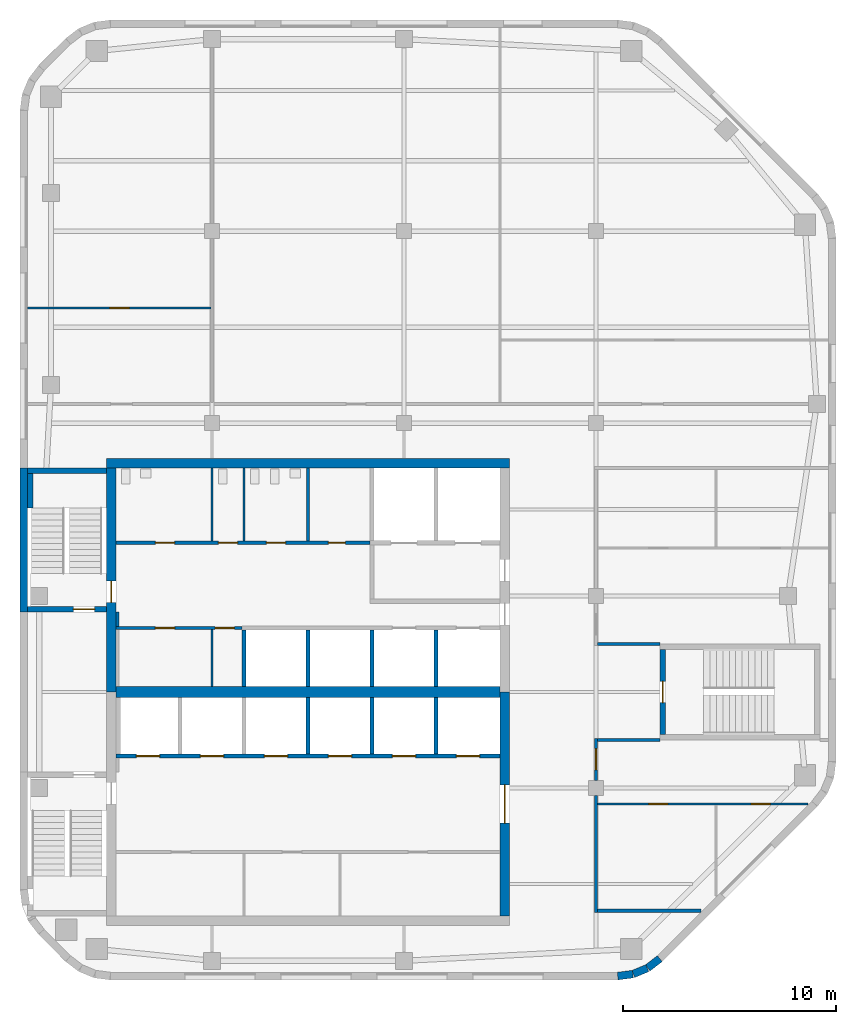
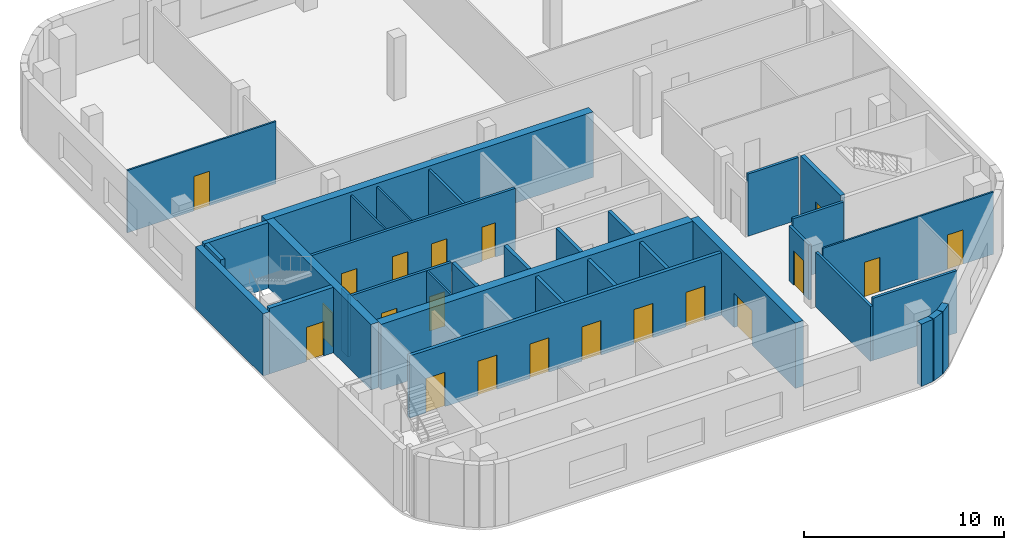
# One storey, part 3 of 7: 34 walls, 20 doors, 20 openings.
"""IFC4 building model written with IfcOpenShell, lengths in metres."""

from ifc_helpers import new_model, si_unit, direction, frame, frame_2d, origin, place, context, subcontext, project, spatial, rectangle, extrude, material, layer, layer_set, type_object, element, fill, save


model = new_model("IFC4")

# Units and contexts
model_context = context("Model", 3, precision=1e-05, world=origin(), true_north=direction((0.0, 1.0)))
body_context = subcontext(model_context, "Body", "Model", "MODEL_VIEW")
ifc_project = project(units=[si_unit("LENGTHUNIT", "METRE"), si_unit("AREAUNIT", "SQUARE_METRE"), si_unit("VOLUMEUNIT", "CUBIC_METRE"), si_unit("PLANEANGLEUNIT", "RADIAN"), si_unit("MASSUNIT", "GRAM", prefix="KILO")], contexts=[model_context])

# Site, building, storey
site_placement = place(None, origin())
site = spatial("IfcSite", under=ifc_project, at=site_placement, CompositionType="ELEMENT")
building_placement = place(site_placement, origin())
building = spatial("IfcBuilding", under=site, at=building_placement, Name="Cinnabar Reach Civic Tower", CompositionType="ELEMENT")
storey_placement = place(building_placement, frame((0.0, 0.0, 279.0)))
storey = spatial("IfcBuildingStorey", under=building, at=storey_placement, Name="L67", CompositionType="ELEMENT", Elevation=279.0)

# Walls
ifc_material_1 = material(Name="Facing brick with insulated backing", Category="masonry")
ifc_layer_1 = layer(ifc_material_1, 0.36)
ifc_layer_set_1 = layer_set([ifc_layer_1], Name="Brick corner wall")
wall_type_1 = type_object("IfcWallType", Name="Brick corner wall", PredefinedType="STANDARD", material=ifc_layer_set_1)
for number, where, z_axis, x_axis, name in (
    (1, (28.0186, 18.183, 0.0), (0.0, 0.0, 1.0), (0.99144092581, 0.13055608231, 0.0), "Brick corner wall"),
    (2, (28.7473, 18.2819, 0.0), (0.0, 0.0, 1.0), (0.923871547278, 0.382702709855, 0.0), "Brick corner wall"),
):
    element("IfcWall", number, at=place(storey_placement, frame(where, z_axis=z_axis, x_axis=x_axis)), inside=storey, type_object=wall_type_1, Name=name, PredefinedType="STANDARD", context=body_context, shape_type="SweptSolid", body=[
        extrude(rectangle(XDim=0.7131, YDim=0.36, at=frame_2d((0.3565, 0.0))), origin(), (0.0, 0.0, 1.0), 3.8),
    ])
wall_1_placement = place(storey_placement, frame((29.4255, 18.566, 0.0), z_axis=(0.0, 0.0, 1.0), x_axis=(0.793321924995, 0.608802368033, 0.0)))
element("IfcWall", 3, at=wall_1_placement, inside=storey, type_object=wall_type_1, Name="Brick corner wall", PredefinedType="STANDARD", context=body_context, shape_type="SweptSolid", body=[
    extrude(rectangle(XDim=0.7132, YDim=0.36, at=frame_2d((0.3566, 0.0))), origin(), (0.0, 0.0, 1.0), 3.8),
])
ifc_layer_2 = layer(ifc_material_1, 0.36)
ifc_layer_set_2 = layer_set([ifc_layer_2], Name="Brick pier and spandrel wall")
wall_type_2 = type_object("IfcWallType", Name="Brick pier and spandrel wall", PredefinedType="STANDARD", material=ifc_layer_set_2)
wall_2_placement = place(storey_placement, frame((0.18, 42.0, 0.0), z_axis=(0.0, 0.0, 1.0), x_axis=(0.0, -1.0, 0.0)))
element("IfcWall", 4, at=wall_2_placement, inside=storey, type_object=wall_type_2, Name="Brick facade wall", PredefinedType="STANDARD", context=body_context, shape_type="SweptSolid", body=[
    extrude(rectangle(XDim=6.75, YDim=0.36, at=frame_2d((3.375, 0.0))), origin(), (0.0, 0.0, 1.0), 3.8),
])
ifc_material_2 = material(Name="Concrete C60", Category="concrete")
ifc_layer_3 = layer(ifc_material_2, 0.45)
ifc_layer_set_3 = layer_set([ifc_layer_3], Name="Core wall 450 EI 180")
wall_type_3 = type_object("IfcWallType", Name="Core wall 450 EI 180", PredefinedType="SOLIDWALL", material=ifc_layer_set_3)
wall_3_placement = place(storey_placement, frame((22.95, 42.225, 0.0), z_axis=(0.0, 0.0, 1.0), x_axis=(-1.0, 0.0, 0.0)))
element("IfcWall", 5, at=wall_3_placement, inside=storey, type_object=wall_type_3, Name="Core wall T1 L67 N", PredefinedType="SOLIDWALL", context=body_context, shape_type="SweptSolid", body=[
    extrude(rectangle(XDim=18.9, YDim=0.45, at=frame_2d((9.45, 0.0))), origin(), (0.0, 0.0, 1.0), 4.0),
])

# Wall, opening, door
wall_4_placement = place(storey_placement, frame((22.725, 21.0, 0.0), z_axis=(0.0, 0.0, 1.0), x_axis=(0.0, 1.0, 0.0)))
wall_4 = element("IfcWall", 6, at=wall_4_placement, inside=storey, type_object=wall_type_3, Name="Core wall T1 L67 E", PredefinedType="SOLIDWALL", context=body_context, shape_type="SweptSolid", body=[
    extrude(rectangle(XDim=10.5, YDim=0.45, at=frame_2d((5.25, 0.0))), origin(), (0.0, 0.0, 1.0), 4.0),
])
opening_1_placement = place(wall_4_placement, frame((4.35, 0.0, 0.0)))
opening_1 = element("IfcOpeningElement", 7, at=opening_1_placement, cuts=wall_4, Name="Opening D5670", PredefinedType="OPENING", context=body_context, shape_type="SweptSolid", body=[
    extrude(rectangle(XDim=1.8, YDim=2.1, at=frame_2d((0.9, 1.05))), frame((0.0, 0.235, 0.0), z_axis=(0.0, -1.0, 0.0), x_axis=(1.0, 0.0, 0.0)), (0.0, 0.0, 1.0), 0.47),
])
ifc_material_3 = material(Name="Timber door leaf in steel frame", Category="steel")
door_type_1 = type_object("IfcDoorType", Name="Double swing door 1800 x 2100 T1", OperationType="DOUBLE_DOOR_DOUBLE_SWING", PredefinedType="DOOR", material=ifc_material_3)
door_1_placement = place(opening_1_placement, origin())
door_1 = element("IfcDoor", 8, at=door_1_placement, inside=storey, type_object=door_type_1, Name="Door D5670", OperationType="DOUBLE_DOOR_DOUBLE_SWING", OverallHeight=2.1, OverallWidth=1.8, PredefinedType="DOOR", context=body_context, shape_type="SweptSolid", body=[
    extrude(rectangle(XDim=1.8, YDim=2.1, at=frame_2d((0.9, 1.05))), frame((0.0, 0.025, 0.0), z_axis=(0.0, -1.0, 0.0), x_axis=(1.0, 0.0, 0.0)), (0.0, 0.0, 1.0), 0.05),
])
fill(opening_1, door_1)

wall_5_placement = place(storey_placement, frame((4.275, 42.0, 0.0), z_axis=(0.0, 0.0, 1.0), x_axis=(0.0, -1.0, 0.0)))
wall_5 = element("IfcWall", 9, at=wall_5_placement, inside=storey, type_object=wall_type_3, Name="Core wall T1 L67 W", PredefinedType="SOLIDWALL", context=body_context, shape_type="SweptSolid", body=[
    extrude(rectangle(XDim=10.5, YDim=0.45, at=frame_2d((5.25, 0.0))), origin(), (0.0, 0.0, 1.0), 4.0),
])
opening_2_placement = place(wall_5_placement, frame((5.3, 0.0, 0.0)))
opening_2 = element("IfcOpeningElement", 10, at=opening_2_placement, cuts=wall_5, Name="Opening D5658", PredefinedType="OPENING", context=body_context, shape_type="SweptSolid", body=[
    extrude(rectangle(XDim=1.0, YDim=2.1, at=frame_2d((0.5, 1.05))), frame((0.0, 0.235, 0.0), z_axis=(0.0, -1.0, 0.0), x_axis=(1.0, 0.0, 0.0)), (0.0, 0.0, 1.0), 0.47),
])
door_type_2 = type_object("IfcDoorType", Name="Stair door 1000 x 2100 T1", OperationType="SINGLE_SWING_LEFT", PredefinedType="DOOR", material=ifc_material_3)
door_2_placement = place(opening_2_placement, frame((1.0, 0.0, 0.0), z_axis=(0.0, 0.0, 1.0), x_axis=(-1.0, 0.0, 0.0)))
door_2 = element("IfcDoor", 11, at=door_2_placement, inside=storey, type_object=door_type_2, Name="Door D5658", OperationType="SINGLE_SWING_LEFT", OverallHeight=2.1, OverallWidth=1.0, PredefinedType="DOOR", context=body_context, shape_type="SweptSolid", body=[
    extrude(rectangle(XDim=1.0, YDim=2.1, at=frame_2d((0.5, 1.05))), frame((0.0, 0.025, 0.0), z_axis=(0.0, -1.0, 0.0), x_axis=(1.0, 0.0, 0.0)), (0.0, 0.0, 1.0), 0.05),
])
fill(opening_2, door_2)

# Wall
ifc_layer_4 = layer(ifc_material_2, 0.5)
ifc_layer_set_4 = layer_set([ifc_layer_4], Name="Core wall 500 EI 180")
wall_type_4 = type_object("IfcWallType", Name="Core wall 500 EI 180", PredefinedType="SOLIDWALL", material=ifc_layer_set_4)
wall_6_placement = place(storey_placement, frame((4.5, 31.5, 0.0), z_axis=(0.0, 0.0, 1.0), x_axis=(1.0, 0.0, 0.0)))
element("IfcWall", 12, at=wall_6_placement, inside=storey, type_object=wall_type_4, Name="Core spine wall T1 L67", PredefinedType="SOLIDWALL", context=body_context, shape_type="SweptSolid", body=[
    extrude(rectangle(XDim=18.0, YDim=0.5, at=frame_2d((9.0, 0.0))), origin(), (0.0, 0.0, 1.0), 4.0),
])

# Wall, openings, doors
ifc_material_4 = material(Name="Gypsum board on steel studs, double layer", Category="steel")
ifc_layer_5 = layer(ifc_material_4, 0.15)
ifc_layer_set_5 = layer_set([ifc_layer_5], Name="Corridor wall 150 T1")
wall_type_5 = type_object("IfcWallType", Name="Corridor wall 150 T1", PredefinedType="PARTITIONING", material=ifc_layer_set_5)
wall_7_placement = place(storey_placement, frame((4.5, 38.5, 0.0), z_axis=(0.0, 0.0, 1.0), x_axis=(1.0, 0.0, 0.0)))
wall_7 = element("IfcWall", 13, at=wall_7_placement, inside=storey, type_object=wall_type_5, Name="Corridor wall 20", PredefinedType="PARTITIONING", context=body_context, shape_type="SweptSolid", body=[
    extrude(rectangle(XDim=11.9, YDim=0.15, at=frame_2d((5.95, 0.0))), origin(), (0.0, 0.0, 1.0), 3.8),
])
opening_3_placement = place(wall_7_placement, frame((1.85, 0.0, 0.0)))
opening_3 = element("IfcOpeningElement", 14, at=opening_3_placement, cuts=wall_7, Name="Opening D5679", PredefinedType="OPENING", context=body_context, shape_type="SweptSolid", body=[
    extrude(rectangle(XDim=0.9, YDim=2.1, at=frame_2d((0.45, 1.05))), frame((0.0, 0.085, 0.0), z_axis=(0.0, -1.0, 0.0), x_axis=(1.0, 0.0, 0.0)), (0.0, 0.0, 1.0), 0.17),
])
opening_4_placement = place(wall_7_placement, frame((4.8, 0.0, 0.0)))
opening_4 = element("IfcOpeningElement", 15, at=opening_4_placement, cuts=wall_7, Name="Opening D5680", PredefinedType="OPENING", context=body_context, shape_type="SweptSolid", body=[
    extrude(rectangle(XDim=0.9, YDim=2.1, at=frame_2d((0.45, 1.05))), frame((0.0, 0.085, 0.0), z_axis=(0.0, -1.0, 0.0), x_axis=(1.0, 0.0, 0.0)), (0.0, 0.0, 1.0), 0.17),
])
opening_5_placement = place(wall_7_placement, frame((7.05, 0.0, 0.0)))
opening_5 = element("IfcOpeningElement", 16, at=opening_5_placement, cuts=wall_7, Name="Opening D5681", PredefinedType="OPENING", context=body_context, shape_type="SweptSolid", body=[
    extrude(rectangle(XDim=0.9, YDim=2.1, at=frame_2d((0.45, 1.05))), frame((0.0, 0.085, 0.0), z_axis=(0.0, -1.0, 0.0), x_axis=(1.0, 0.0, 0.0)), (0.0, 0.0, 1.0), 0.17),
])
opening_6_placement = place(wall_7_placement, frame((9.95, 0.0, 0.0)))
opening_6 = element("IfcOpeningElement", 17, at=opening_6_placement, cuts=wall_7, Name="Opening D5682", PredefinedType="OPENING", context=body_context, shape_type="SweptSolid", body=[
    extrude(rectangle(XDim=0.8, YDim=2.1, at=frame_2d((0.4, 1.05))), frame((0.0, 0.085, 0.0), z_axis=(0.0, -1.0, 0.0), x_axis=(1.0, 0.0, 0.0)), (0.0, 0.0, 1.0), 0.17),
])
door_type_3 = type_object("IfcDoorType", Name="Riser access door 800 x 2100 T1", OperationType="SINGLE_SWING_LEFT", PredefinedType="DOOR", material=ifc_material_3)
door_3_placement = place(opening_6_placement, origin())
door_3 = element("IfcDoor", 18, at=door_3_placement, inside=storey, type_object=door_type_3, Name="Door D5682", OperationType="SINGLE_SWING_LEFT", OverallHeight=2.1, OverallWidth=0.8, PredefinedType="DOOR", context=body_context, shape_type="SweptSolid", body=[
    extrude(rectangle(XDim=0.8, YDim=2.1, at=frame_2d((0.4, 1.05))), frame((0.0, 0.025, 0.0), z_axis=(0.0, -1.0, 0.0), x_axis=(1.0, 0.0, 0.0)), (0.0, 0.0, 1.0), 0.05),
])
fill(opening_6, door_3)
door_type_4 = type_object("IfcDoorType", Name="Single swing door 900 x 2100 corridor T1", OperationType="SINGLE_SWING_LEFT", PredefinedType="DOOR", material=ifc_material_3)
door_4_placement = place(opening_3_placement, origin())
door_4 = element("IfcDoor", 19, at=door_4_placement, inside=storey, type_object=door_type_4, Name="Door D5679", OperationType="SINGLE_SWING_RIGHT", OverallHeight=2.1, OverallWidth=0.9, PredefinedType="DOOR", context=body_context, shape_type="SweptSolid", body=[
    extrude(rectangle(XDim=0.9, YDim=2.1, at=frame_2d((0.45, 1.05))), frame((0.0, 0.025, 0.0), z_axis=(0.0, -1.0, 0.0), x_axis=(1.0, 0.0, 0.0)), (0.0, 0.0, 1.0), 0.05),
])
fill(opening_3, door_4)
door_5_placement = place(opening_4_placement, origin())
door_5 = element("IfcDoor", 20, at=door_5_placement, inside=storey, type_object=door_type_4, Name="Door D5680", OperationType="SINGLE_SWING_LEFT", OverallHeight=2.1, OverallWidth=0.9, PredefinedType="DOOR", context=body_context, shape_type="SweptSolid", body=[
    extrude(rectangle(XDim=0.9, YDim=2.1, at=frame_2d((0.45, 1.05))), frame((0.0, 0.025, 0.0), z_axis=(0.0, -1.0, 0.0), x_axis=(1.0, 0.0, 0.0)), (0.0, 0.0, 1.0), 0.05),
])
fill(opening_4, door_5)
door_6_placement = place(opening_5_placement, origin())
door_6 = element("IfcDoor", 21, at=door_6_placement, inside=storey, type_object=door_type_4, Name="Door D5681", OperationType="SINGLE_SWING_RIGHT", OverallHeight=2.1, OverallWidth=0.9, PredefinedType="DOOR", context=body_context, shape_type="SweptSolid", body=[
    extrude(rectangle(XDim=0.9, YDim=2.1, at=frame_2d((0.45, 1.05))), frame((0.0, 0.025, 0.0), z_axis=(0.0, -1.0, 0.0), x_axis=(1.0, 0.0, 0.0)), (0.0, 0.0, 1.0), 0.05),
])
fill(opening_5, door_6)

# Wall
wall_8_placement = place(storey_placement, frame((27.0, 21.175, 0.0), z_axis=(0.0, 0.0, 1.0), x_axis=(0.0, 1.0, 0.0)))
element("IfcWall", 22, at=wall_8_placement, inside=storey, type_object=wall_type_5, Name="Corridor wall 24", PredefinedType="PARTITIONING", context=body_context, shape_type="SweptSolid", body=[
    extrude(rectangle(XDim=5.475, YDim=0.15, at=frame_2d((2.7375, 0.0))), origin(), (0.0, 0.0, 1.0), 3.35),
])

# Wall, opening, door
wall_9_placement = place(storey_placement, frame((27.0, 27.35, 0.0), z_axis=(0.0, 0.0, 1.0), x_axis=(0.0, 1.0, 0.0)))
wall_9 = element("IfcWall", 23, at=wall_9_placement, inside=storey, type_object=wall_type_5, Name="Corridor wall 25", PredefinedType="PARTITIONING", context=body_context, shape_type="SweptSolid", body=[
    extrude(rectangle(XDim=1.975, YDim=0.15, at=frame_2d((0.9875, 0.0))), origin(), (0.0, 0.0, 1.0), 3.35),
])
opening_7_placement = place(wall_9_placement, frame((0.5, 0.0, 0.0)))
opening_7 = element("IfcOpeningElement", 24, at=opening_7_placement, cuts=wall_9, Name="Opening D5686", PredefinedType="OPENING", context=body_context, shape_type="SweptSolid", body=[
    extrude(rectangle(XDim=1.0, YDim=2.1, at=frame_2d((0.5, 1.05))), frame((0.0, 0.085, 0.0), z_axis=(0.0, -1.0, 0.0), x_axis=(1.0, 0.0, 0.0)), (0.0, 0.0, 1.0), 0.17),
])
door_type_5 = type_object("IfcDoorType", Name="Tenancy entrance door 1000 x 2100 T1", OperationType="SINGLE_SWING_LEFT", PredefinedType="DOOR", material=ifc_material_3)
door_7_placement = place(opening_7_placement, frame((1.0, 0.0, 0.0), z_axis=(0.0, 0.0, 1.0), x_axis=(-1.0, 0.0, 0.0)))
door_7 = element("IfcDoor", 25, at=door_7_placement, inside=storey, type_object=door_type_5, Name="Door D5686", OperationType="SINGLE_SWING_LEFT", OverallHeight=2.1, OverallWidth=1.0, PredefinedType="DOOR", context=body_context, shape_type="SweptSolid", body=[
    extrude(rectangle(XDim=1.0, YDim=2.1, at=frame_2d((0.5, 1.05))), frame((0.0, 0.025, 0.0), z_axis=(0.0, -1.0, 0.0), x_axis=(1.0, 0.0, 0.0)), (0.0, 0.0, 1.0), 0.05),
])
fill(opening_7, door_7)

# Wall, openings, doors
wall_10_placement = place(storey_placement, frame((4.5, 34.5, 0.0), z_axis=(0.0, 0.0, 1.0), x_axis=(1.0, 0.0, 0.0)))
wall_10 = element("IfcWall", 26, at=wall_10_placement, inside=storey, type_object=wall_type_5, Name="Corridor wall 26", PredefinedType="PARTITIONING", context=body_context, shape_type="SweptSolid", body=[
    extrude(rectangle(XDim=5.9, YDim=0.15, at=frame_2d((2.95, 0.0))), origin(), (0.0, 0.0, 1.0), 3.8),
])
opening_8_placement = place(wall_10_placement, frame((1.85, 0.0, 0.0)))
opening_8 = element("IfcOpeningElement", 27, at=opening_8_placement, cuts=wall_10, Name="Opening D5677", PredefinedType="OPENING", context=body_context, shape_type="SweptSolid", body=[
    extrude(rectangle(XDim=0.9, YDim=2.1, at=frame_2d((0.45, 1.05))), frame((0.0, 0.085, 0.0), z_axis=(0.0, -1.0, 0.0), x_axis=(1.0, 0.0, 0.0)), (0.0, 0.0, 1.0), 0.17),
])
opening_9_placement = place(wall_10_placement, frame((4.65, 0.0, 0.0)))
opening_9 = element("IfcOpeningElement", 28, at=opening_9_placement, cuts=wall_10, Name="Opening D5678", PredefinedType="OPENING", context=body_context, shape_type="SweptSolid", body=[
    extrude(rectangle(XDim=0.9, YDim=2.1, at=frame_2d((0.45, 1.05))), frame((0.0, 0.085, 0.0), z_axis=(0.0, -1.0, 0.0), x_axis=(1.0, 0.0, 0.0)), (0.0, 0.0, 1.0), 0.17),
])
door_8_placement = place(opening_8_placement, frame((0.9, 0.0, 0.0), z_axis=(0.0, 0.0, 1.0), x_axis=(-1.0, 0.0, 0.0)))
door_8 = element("IfcDoor", 29, at=door_8_placement, inside=storey, type_object=door_type_4, Name="Door D5677", OperationType="SINGLE_SWING_RIGHT", OverallHeight=2.1, OverallWidth=0.9, PredefinedType="DOOR", context=body_context, shape_type="SweptSolid", body=[
    extrude(rectangle(XDim=0.9, YDim=2.1, at=frame_2d((0.45, 1.05))), frame((0.0, 0.025, 0.0), z_axis=(0.0, -1.0, 0.0), x_axis=(1.0, 0.0, 0.0)), (0.0, 0.0, 1.0), 0.05),
])
fill(opening_8, door_8)
door_9_placement = place(opening_9_placement, frame((0.9, 0.0, 0.0), z_axis=(0.0, 0.0, 1.0), x_axis=(-1.0, 0.0, 0.0)))
door_9 = element("IfcDoor", 30, at=door_9_placement, inside=storey, type_object=door_type_4, Name="Door D5678", OperationType="SINGLE_SWING_RIGHT", OverallHeight=2.1, OverallWidth=0.9, PredefinedType="DOOR", context=body_context, shape_type="SweptSolid", body=[
    extrude(rectangle(XDim=0.9, YDim=2.1, at=frame_2d((0.45, 1.05))), frame((0.0, 0.025, 0.0), z_axis=(0.0, -1.0, 0.0), x_axis=(1.0, 0.0, 0.0)), (0.0, 0.0, 1.0), 0.05),
])
fill(opening_9, door_9)

# Walls
wall_11_placement = place(storey_placement, frame((27.075, 21.25, 0.0), z_axis=(0.0, 0.0, 1.0), x_axis=(1.0, 0.0, 0.0)))
element("IfcWall", 31, at=wall_11_placement, inside=storey, type_object=wall_type_5, Name="Corridor wall 27", PredefinedType="PARTITIONING", context=body_context, shape_type="SweptSolid", body=[
    extrude(rectangle(XDim=4.841, YDim=0.15, at=frame_2d((2.4205, 0.0))), origin(), (0.0, 0.0, 1.0), 3.8),
])
wall_12_placement = place(storey_placement, frame((4.575, 34.575, 0.0), z_axis=(0.0, 0.0, 1.0), x_axis=(0.0, 1.0, 0.0)))
element("IfcWall", 32, at=wall_12_placement, inside=storey, type_object=wall_type_5, Name="Corridor wall 28", PredefinedType="PARTITIONING", context=body_context, shape_type="SweptSolid", body=[
    extrude(rectangle(XDim=0.675, YDim=0.15, at=frame_2d((0.3375, 0.0))), origin(), (0.0, 0.0, 1.0), 3.8),
])
for number, where, z_axis, x_axis, name in (
    (33, (27.075, 29.25, 0.0), (0.0, 0.0, 1.0), (1.0, 0.0, 0.0), "Corridor wall 30"),
    (34, (27.075, 33.75, 0.0), (0.0, 0.0, 1.0), (1.0, 0.0, 0.0), "Corridor wall 31"),
):
    element("IfcWall", number, at=place(storey_placement, frame(where, z_axis=z_axis, x_axis=x_axis)), inside=storey, type_object=wall_type_5, Name=name, PredefinedType="PARTITIONING", context=body_context, shape_type="SweptSolid", body=[
        extrude(rectangle(XDim=2.925, YDim=0.15, at=frame_2d((1.4625, 0.0))), origin(), (0.0, 0.0, 1.0), 3.8),
    ])

# Wall, openings, doors
ifc_material_5 = material(Name="Blockwork", Category="masonry")
ifc_layer_6 = layer(ifc_material_5, 0.2)
ifc_layer_set_6 = layer_set([ifc_layer_6], Name="Lift shaft wall 200 T1")
wall_type_6 = type_object("IfcWallType", Name="Lift shaft wall 200 T1", PredefinedType="PARTITIONING", material=ifc_layer_set_6)
wall_13_placement = place(storey_placement, frame((4.5, 28.5, 0.0), z_axis=(0.0, 0.0, 1.0), x_axis=(1.0, 0.0, 0.0)))
wall_13 = element("IfcWall", 35, at=wall_13_placement, inside=storey, type_object=wall_type_6, Name="Lift shaft wall 4", PredefinedType="PARTITIONING", context=body_context, shape_type="SweptSolid", body=[
    extrude(rectangle(XDim=18.0, YDim=0.2, at=frame_2d((9.0, 0.0))), origin(), (0.0, 0.0, 1.0), 3.8),
])
opening_10_placement = place(wall_13_placement, frame((0.95, 0.0, 0.0)))
opening_10 = element("IfcOpeningElement", 36, at=opening_10_placement, cuts=wall_13, Name="Opening D5660", PredefinedType="OPENING", context=body_context, shape_type="SweptSolid", body=[
    extrude(rectangle(XDim=1.1, YDim=2.1, at=frame_2d((0.55, 1.05))), frame((0.0, 0.11, 0.0), z_axis=(0.0, -1.0, 0.0), x_axis=(1.0, 0.0, 0.0)), (0.0, 0.0, 1.0), 0.22),
])
opening_11_placement = place(wall_13_placement, frame((3.95, 0.0, 0.0)))
opening_11 = element("IfcOpeningElement", 37, at=opening_11_placement, cuts=wall_13, Name="Opening D5661", PredefinedType="OPENING", context=body_context, shape_type="SweptSolid", body=[
    extrude(rectangle(XDim=1.1, YDim=2.1, at=frame_2d((0.55, 1.05))), frame((0.0, 0.11, 0.0), z_axis=(0.0, -1.0, 0.0), x_axis=(1.0, 0.0, 0.0)), (0.0, 0.0, 1.0), 0.22),
])
opening_12_placement = place(wall_13_placement, frame((6.95, 0.0, 0.0)))
opening_12 = element("IfcOpeningElement", 38, at=opening_12_placement, cuts=wall_13, Name="Opening D5662", PredefinedType="OPENING", context=body_context, shape_type="SweptSolid", body=[
    extrude(rectangle(XDim=1.1, YDim=2.1, at=frame_2d((0.55, 1.05))), frame((0.0, 0.11, 0.0), z_axis=(0.0, -1.0, 0.0), x_axis=(1.0, 0.0, 0.0)), (0.0, 0.0, 1.0), 0.22),
])
opening_13_placement = place(wall_13_placement, frame((9.95, 0.0, 0.0)))
opening_13 = element("IfcOpeningElement", 39, at=opening_13_placement, cuts=wall_13, Name="Opening D5663", PredefinedType="OPENING", context=body_context, shape_type="SweptSolid", body=[
    extrude(rectangle(XDim=1.1, YDim=2.1, at=frame_2d((0.55, 1.05))), frame((0.0, 0.11, 0.0), z_axis=(0.0, -1.0, 0.0), x_axis=(1.0, 0.0, 0.0)), (0.0, 0.0, 1.0), 0.22),
])
opening_14_placement = place(wall_13_placement, frame((12.95, 0.0, 0.0)))
opening_14 = element("IfcOpeningElement", 40, at=opening_14_placement, cuts=wall_13, Name="Opening D5664", PredefinedType="OPENING", context=body_context, shape_type="SweptSolid", body=[
    extrude(rectangle(XDim=1.1, YDim=2.1, at=frame_2d((0.55, 1.05))), frame((0.0, 0.11, 0.0), z_axis=(0.0, -1.0, 0.0), x_axis=(1.0, 0.0, 0.0)), (0.0, 0.0, 1.0), 0.22),
])
opening_15_placement = place(wall_13_placement, frame((15.95, 0.0, 0.0)))
opening_15 = element("IfcOpeningElement", 41, at=opening_15_placement, cuts=wall_13, Name="Opening D5665", PredefinedType="OPENING", context=body_context, shape_type="SweptSolid", body=[
    extrude(rectangle(XDim=1.1, YDim=2.1, at=frame_2d((0.55, 1.05))), frame((0.0, 0.11, 0.0), z_axis=(0.0, -1.0, 0.0), x_axis=(1.0, 0.0, 0.0)), (0.0, 0.0, 1.0), 0.22),
])
ifc_material_6 = material(Name="Stainless steel sliding door", Category="steel")
door_type_6 = type_object("IfcDoorType", Name="Lift landing door 1100 x 2100 T1", OperationType="SLIDING_TO_LEFT", PredefinedType="DOOR", material=ifc_material_6)
door_10_placement = place(opening_10_placement, origin())
door_10 = element("IfcDoor", 42, at=door_10_placement, inside=storey, type_object=door_type_6, Name="Lift landing door HR1 L67", OperationType="SLIDING_TO_LEFT", OverallHeight=2.1, OverallWidth=1.1, PredefinedType="DOOR", context=body_context, shape_type="SweptSolid", body=[
    extrude(rectangle(XDim=1.1, YDim=2.1, at=frame_2d((0.55, 1.05))), frame((0.0, 0.025, 0.0), z_axis=(0.0, -1.0, 0.0), x_axis=(1.0, 0.0, 0.0)), (0.0, 0.0, 1.0), 0.05),
])
fill(opening_10, door_10)
door_11_placement = place(opening_11_placement, origin())
door_11 = element("IfcDoor", 43, at=door_11_placement, inside=storey, type_object=door_type_6, Name="Lift landing door HR2 L67", OperationType="SLIDING_TO_LEFT", OverallHeight=2.1, OverallWidth=1.1, PredefinedType="DOOR", context=body_context, shape_type="SweptSolid", body=[
    extrude(rectangle(XDim=1.1, YDim=2.1, at=frame_2d((0.55, 1.05))), frame((0.0, 0.025, 0.0), z_axis=(0.0, -1.0, 0.0), x_axis=(1.0, 0.0, 0.0)), (0.0, 0.0, 1.0), 0.05),
])
fill(opening_11, door_11)
door_12_placement = place(opening_12_placement, origin())
door_12 = element("IfcDoor", 44, at=door_12_placement, inside=storey, type_object=door_type_6, Name="Lift landing door HR3 L67", OperationType="SLIDING_TO_LEFT", OverallHeight=2.1, OverallWidth=1.1, PredefinedType="DOOR", context=body_context, shape_type="SweptSolid", body=[
    extrude(rectangle(XDim=1.1, YDim=2.1, at=frame_2d((0.55, 1.05))), frame((0.0, 0.025, 0.0), z_axis=(0.0, -1.0, 0.0), x_axis=(1.0, 0.0, 0.0)), (0.0, 0.0, 1.0), 0.05),
])
fill(opening_12, door_12)
door_13_placement = place(opening_13_placement, origin())
door_13 = element("IfcDoor", 45, at=door_13_placement, inside=storey, type_object=door_type_6, Name="Lift landing door HR4 L67", OperationType="SLIDING_TO_LEFT", OverallHeight=2.1, OverallWidth=1.1, PredefinedType="DOOR", context=body_context, shape_type="SweptSolid", body=[
    extrude(rectangle(XDim=1.1, YDim=2.1, at=frame_2d((0.55, 1.05))), frame((0.0, 0.025, 0.0), z_axis=(0.0, -1.0, 0.0), x_axis=(1.0, 0.0, 0.0)), (0.0, 0.0, 1.0), 0.05),
])
fill(opening_13, door_13)
door_14_placement = place(opening_14_placement, origin())
door_14 = element("IfcDoor", 46, at=door_14_placement, inside=storey, type_object=door_type_6, Name="Lift landing door HR5 L67", OperationType="SLIDING_TO_LEFT", OverallHeight=2.1, OverallWidth=1.1, PredefinedType="DOOR", context=body_context, shape_type="SweptSolid", body=[
    extrude(rectangle(XDim=1.1, YDim=2.1, at=frame_2d((0.55, 1.05))), frame((0.0, 0.025, 0.0), z_axis=(0.0, -1.0, 0.0), x_axis=(1.0, 0.0, 0.0)), (0.0, 0.0, 1.0), 0.05),
])
fill(opening_14, door_14)
door_15_placement = place(opening_15_placement, origin())
door_15 = element("IfcDoor", 47, at=door_15_placement, inside=storey, type_object=door_type_6, Name="Lift landing door HR6 L67", OperationType="SLIDING_TO_LEFT", OverallHeight=2.1, OverallWidth=1.1, PredefinedType="DOOR", context=body_context, shape_type="SweptSolid", body=[
    extrude(rectangle(XDim=1.1, YDim=2.1, at=frame_2d((0.55, 1.05))), frame((0.0, 0.025, 0.0), z_axis=(0.0, -1.0, 0.0), x_axis=(1.0, 0.0, 0.0)), (0.0, 0.0, 1.0), 0.05),
])
fill(opening_15, door_15)

# Walls
for number, where, z_axis, x_axis, name in (
    (48, (10.5, 31.75, 0.0), (0.0, 0.0, 1.0), (0.0, 1.0, 0.0), "Lift shaft wall 7"),
    (49, (13.5, 28.6, 0.0), (0.0, 0.0, 1.0), (0.0, 1.0, 0.0), "Lift shaft wall 8"),
    (50, (13.5, 31.75, 0.0), (0.0, 0.0, 1.0), (0.0, 1.0, 0.0), "Lift shaft wall 9"),
    (51, (16.5, 28.6, 0.0), (0.0, 0.0, 1.0), (0.0, 1.0, 0.0), "Lift shaft wall 10"),
    (52, (16.5, 31.75, 0.0), (0.0, 0.0, 1.0), (0.0, 1.0, 0.0), "Lift shaft wall 11"),
    (53, (19.5, 28.6, 0.0), (0.0, 0.0, 1.0), (0.0, 1.0, 0.0), "Lift shaft wall 12"),
    (54, (19.5, 31.75, 0.0), (0.0, 0.0, 1.0), (0.0, 1.0, 0.0), "Lift shaft wall 13"),
):
    element("IfcWall", number, at=place(storey_placement, frame(where, z_axis=z_axis, x_axis=x_axis)), inside=storey, type_object=wall_type_6, Name=name, PredefinedType="PARTITIONING", context=body_context, shape_type="SweptSolid", body=[
        extrude(rectangle(XDim=2.65, YDim=0.2, at=frame_2d((1.325, 0.0))), origin(), (0.0, 0.0, 1.0), 3.8),
    ])

# Wall, openings, doors
ifc_material_7 = material(Name="Gypsum board on steel studs", Category="steel")
ifc_layer_7 = layer(ifc_material_7, 0.1)
ifc_layer_set_7 = layer_set([ifc_layer_7], Name="Partition wall 100 T1")
wall_type_7 = type_object("IfcWallType", Name="Partition wall 100 T1", PredefinedType="PARTITIONING", material=ifc_layer_set_7)
wall_14_placement = place(storey_placement, frame((27.075, 26.25, 0.0), z_axis=(0.0, 0.0, 1.0), x_axis=(1.0, 0.0, 0.0)))
wall_14 = element("IfcWall", 55, at=wall_14_placement, inside=storey, type_object=wall_type_7, Name="Partition wall 40", PredefinedType="PARTITIONING", context=body_context, shape_type="SweptSolid", body=[
    extrude(rectangle(XDim=9.8659, YDim=0.1, at=frame_2d((4.9329, 0.0))), origin(), (0.0, 0.0, 1.0), 3.8),
])
opening_16_placement = place(wall_14_placement, frame((2.4, 0.0, 0.0)))
opening_16 = element("IfcOpeningElement", 56, at=opening_16_placement, cuts=wall_14, Name="Opening D5687", PredefinedType="OPENING", context=body_context, shape_type="SweptSolid", body=[
    extrude(rectangle(XDim=0.9, YDim=2.1, at=frame_2d((0.45, 1.05))), frame((0.0, 0.06, 0.0), z_axis=(0.0, -1.0, 0.0), x_axis=(1.0, 0.0, 0.0)), (0.0, 0.0, 1.0), 0.12),
])
opening_17_placement = place(wall_14_placement, frame((7.2, 0.0, 0.0)))
opening_17 = element("IfcOpeningElement", 57, at=opening_17_placement, cuts=wall_14, Name="Opening D5688", PredefinedType="OPENING", context=body_context, shape_type="SweptSolid", body=[
    extrude(rectangle(XDim=0.9, YDim=2.1, at=frame_2d((0.45, 1.05))), frame((0.0, 0.06, 0.0), z_axis=(0.0, -1.0, 0.0), x_axis=(1.0, 0.0, 0.0)), (0.0, 0.0, 1.0), 0.12),
])
door_type_7 = type_object("IfcDoorType", Name="Single swing door 900 x 2100 T1", OperationType="SINGLE_SWING_LEFT", PredefinedType="DOOR", material=ifc_material_3)
door_16_placement = place(opening_16_placement, frame((0.9, 0.0, 0.0), z_axis=(0.0, 0.0, 1.0), x_axis=(-1.0, 0.0, 0.0)))
door_16 = element("IfcDoor", 58, at=door_16_placement, inside=storey, type_object=door_type_7, Name="Door D5687", OperationType="SINGLE_SWING_LEFT", OverallHeight=2.1, OverallWidth=0.9, PredefinedType="DOOR", context=body_context, shape_type="SweptSolid", body=[
    extrude(rectangle(XDim=0.9, YDim=2.1, at=frame_2d((0.45, 1.05))), frame((0.0, 0.025, 0.0), z_axis=(0.0, -1.0, 0.0), x_axis=(1.0, 0.0, 0.0)), (0.0, 0.0, 1.0), 0.05),
])
fill(opening_16, door_16)
door_17_placement = place(opening_17_placement, frame((0.9, 0.0, 0.0), z_axis=(0.0, 0.0, 1.0), x_axis=(-1.0, 0.0, 0.0)))
door_17 = element("IfcDoor", 59, at=door_17_placement, inside=storey, type_object=door_type_7, Name="Door D5688", OperationType="SINGLE_SWING_LEFT", OverallHeight=2.1, OverallWidth=0.9, PredefinedType="DOOR", context=body_context, shape_type="SweptSolid", body=[
    extrude(rectangle(XDim=0.9, YDim=2.1, at=frame_2d((0.45, 1.05))), frame((0.0, 0.025, 0.0), z_axis=(0.0, -1.0, 0.0), x_axis=(1.0, 0.0, 0.0)), (0.0, 0.0, 1.0), 0.05),
])
fill(opening_17, door_17)

# Wall, opening, door
wall_15_placement = place(storey_placement, frame((0.36, 49.5, 0.0), z_axis=(0.0, 0.0, 1.0), x_axis=(1.0, 0.0, 0.0)))
wall_15 = element("IfcWall", 60, at=wall_15_placement, inside=storey, type_object=wall_type_7, Name="Partition wall 41", PredefinedType="PARTITIONING", context=body_context, shape_type="SweptSolid", body=[
    extrude(rectangle(XDim=8.59, YDim=0.1, at=frame_2d((4.295, 0.0))), origin(), (0.0, 0.0, 1.0), 3.8),
])
opening_18_placement = place(wall_15_placement, frame((3.85, 0.0, 0.0)))
opening_18 = element("IfcOpeningElement", 61, at=opening_18_placement, cuts=wall_15, Name="Opening D5690", PredefinedType="OPENING", context=body_context, shape_type="SweptSolid", body=[
    extrude(rectangle(XDim=0.9, YDim=2.1, at=frame_2d((0.45, 1.05))), frame((0.0, 0.06, 0.0), z_axis=(0.0, -1.0, 0.0), x_axis=(1.0, 0.0, 0.0)), (0.0, 0.0, 1.0), 0.12),
])
door_18_placement = place(opening_18_placement, frame((0.9, 0.0, 0.0), z_axis=(0.0, 0.0, 1.0), x_axis=(-1.0, 0.0, 0.0)))
door_18 = element("IfcDoor", 62, at=door_18_placement, inside=storey, type_object=door_type_7, Name="Door D5690", OperationType="SINGLE_SWING_LEFT", OverallHeight=2.1, OverallWidth=0.9, PredefinedType="DOOR", context=body_context, shape_type="SweptSolid", body=[
    extrude(rectangle(XDim=0.9, YDim=2.1, at=frame_2d((0.45, 1.05))), frame((0.0, 0.025, 0.0), z_axis=(0.0, -1.0, 0.0), x_axis=(1.0, 0.0, 0.0)), (0.0, 0.0, 1.0), 0.05),
])
fill(opening_18, door_18)

# Walls
for number, where, z_axis, x_axis, name in (
    (63, (9.0, 38.575, 0.0), (0.0, 0.0, 1.0), (0.0, 1.0, 0.0), "Partition wall 44"),
    (64, (10.5, 38.575, 0.0), (0.0, 0.0, 1.0), (0.0, 1.0, 0.0), "Partition wall 45"),
):
    element("IfcWall", number, at=place(storey_placement, frame(where, z_axis=z_axis, x_axis=x_axis)), inside=storey, type_object=wall_type_7, Name=name, PredefinedType="PARTITIONING", context=body_context, shape_type="SweptSolid", body=[
        extrude(rectangle(XDim=3.425, YDim=0.1, at=frame_2d((1.7125, 0.0))), origin(), (0.0, 0.0, 1.0), 3.8),
    ])
wall_16_placement = place(storey_placement, frame((9.0, 31.75, 0.0), z_axis=(0.0, 0.0, 1.0), x_axis=(0.0, 1.0, 0.0)))
element("IfcWall", 65, at=wall_16_placement, inside=storey, type_object=wall_type_7, Name="Partition wall 46", PredefinedType="PARTITIONING", context=body_context, shape_type="SweptSolid", body=[
    extrude(rectangle(XDim=2.675, YDim=0.1, at=frame_2d((1.3375, 0.0))), origin(), (0.0, 0.0, 1.0), 3.8),
])
ifc_layer_8 = layer(ifc_material_5, 0.15)
ifc_layer_set_8 = layer_set([ifc_layer_8], Name="Riser wall 150 T1")
wall_type_8 = type_object("IfcWallType", Name="Riser wall 150 T1", PredefinedType="PARTITIONING", material=ifc_layer_set_8)
wall_17_placement = place(storey_placement, frame((13.5, 38.575, 0.0), z_axis=(0.0, 0.0, 1.0), x_axis=(0.0, 1.0, 0.0)))
element("IfcWall", 66, at=wall_17_placement, inside=storey, type_object=wall_type_8, Name="Riser wall 33", PredefinedType="PARTITIONING", context=body_context, shape_type="SweptSolid", body=[
    extrude(rectangle(XDim=3.425, YDim=0.15, at=frame_2d((1.7125, 0.0))), origin(), (0.0, 0.0, 1.0), 3.8),
])

# Wall, opening, door
ifc_layer_9 = layer(ifc_material_2, 0.25)
ifc_layer_set_9 = layer_set([ifc_layer_9], Name="Stair shaft wall 250 EI 120")
wall_type_9 = type_object("IfcWallType", Name="Stair shaft wall 250 EI 120", PredefinedType="SOLIDWALL", material=ifc_layer_set_9)
wall_18_placement = place(storey_placement, frame((0.36, 35.375, 0.0), z_axis=(0.0, 0.0, 1.0), x_axis=(1.0, 0.0, 0.0)))
wall_18 = element("IfcWall", 67, at=wall_18_placement, inside=storey, type_object=wall_type_9, Name="Stair shaft wall T1-S2 L67", PredefinedType="SOLIDWALL", context=body_context, shape_type="SweptSolid", body=[
    extrude(rectangle(XDim=3.69, YDim=0.25, at=frame_2d((1.845, 0.0))), origin(), (0.0, 0.0, 1.0), 4.0),
])
opening_19_placement = place(wall_18_placement, frame((2.14, 0.0, 0.0)))
opening_19 = element("IfcOpeningElement", 68, at=opening_19_placement, cuts=wall_18, Name="Opening D5659", PredefinedType="OPENING", context=body_context, shape_type="SweptSolid", body=[
    extrude(rectangle(XDim=1.0, YDim=2.1, at=frame_2d((0.5, 1.05))), frame((0.0, 0.135, 0.0), z_axis=(0.0, -1.0, 0.0), x_axis=(1.0, 0.0, 0.0)), (0.0, 0.0, 1.0), 0.27),
])
door_19_placement = place(opening_19_placement, origin())
door_19 = element("IfcDoor", 69, at=door_19_placement, inside=storey, type_object=door_type_2, Name="Door D5659", OperationType="SINGLE_SWING_RIGHT", OverallHeight=2.1, OverallWidth=1.0, PredefinedType="DOOR", context=body_context, shape_type="SweptSolid", body=[
    extrude(rectangle(XDim=1.0, YDim=2.1, at=frame_2d((0.5, 1.05))), frame((0.0, 0.025, 0.0), z_axis=(0.0, -1.0, 0.0), x_axis=(1.0, 0.0, 0.0)), (0.0, 0.0, 1.0), 0.05),
])
fill(opening_19, door_19)

# Wall
wall_19_placement = place(storey_placement, frame((4.05, 41.875, 0.0), z_axis=(0.0, 0.0, 1.0), x_axis=(-1.0, 0.0, 0.0)))
element("IfcWall", 70, at=wall_19_placement, inside=storey, type_object=wall_type_9, Name="Stair shaft wall T1-S2 L67", PredefinedType="SOLIDWALL", context=body_context, shape_type="SweptSolid", body=[
    extrude(rectangle(XDim=3.69, YDim=0.25, at=frame_2d((1.845, 0.0))), origin(), (0.0, 0.0, 1.0), 4.0),
])

# Wall, opening, door
wall_20_placement = place(storey_placement, frame((30.125, 33.5, 0.0), z_axis=(0.0, 0.0, 1.0), x_axis=(0.0, -1.0, 0.0)))
wall_20 = element("IfcWall", 71, at=wall_20_placement, inside=storey, type_object=wall_type_9, Name="Stair shaft wall T1-S3 L67", PredefinedType="SOLIDWALL", context=body_context, shape_type="SweptSolid", body=[
    extrude(rectangle(XDim=4.0, YDim=0.25, at=frame_2d((2.0, 0.0))), origin(), (0.0, 0.0, 1.0), 4.0),
])
opening_20_placement = place(wall_20_placement, frame((1.5, 0.0, 0.0)))
opening_20 = element("IfcOpeningElement", 72, at=opening_20_placement, cuts=wall_20, Name="Opening D5673", PredefinedType="OPENING", context=body_context, shape_type="SweptSolid", body=[
    extrude(rectangle(XDim=1.0, YDim=2.1, at=frame_2d((0.5, 1.05))), frame((0.0, 0.135, 0.0), z_axis=(0.0, -1.0, 0.0), x_axis=(1.0, 0.0, 0.0)), (0.0, 0.0, 1.0), 0.27),
])
door_20_placement = place(opening_20_placement, origin())
door_20 = element("IfcDoor", 73, at=door_20_placement, inside=storey, type_object=door_type_2, Name="Door D5673", OperationType="SINGLE_SWING_RIGHT", OverallHeight=2.1, OverallWidth=1.0, PredefinedType="DOOR", context=body_context, shape_type="SweptSolid", body=[
    extrude(rectangle(XDim=1.0, YDim=2.1, at=frame_2d((0.5, 1.05))), frame((0.0, 0.025, 0.0), z_axis=(0.0, -1.0, 0.0), x_axis=(1.0, 0.0, 0.0)), (0.0, 0.0, 1.0), 0.05),
])
fill(opening_20, door_20)

# Wall
ifc_material_8 = material(Name="Concrete C40/50", Category="concrete")
ifc_layer_10 = layer(ifc_material_8, 0.24)
ifc_layer_set_10 = layer_set([ifc_layer_10], Name="T1 landing bearer wall 240")
wall_type_10 = type_object("IfcWallType", Name="T1 landing bearer wall 240", PredefinedType="STANDARD", material=ifc_layer_set_10)
wall_21_placement = place(storey_placement, frame((0.48, 40.13, 0.0), z_axis=(0.0, 0.0, 1.0), x_axis=(0.0, 1.0, 0.0)))
element("IfcWall", 74, at=wall_21_placement, inside=storey, type_object=wall_type_10, Name="T1-S2 landing bearer wall", PredefinedType="STANDARD", context=body_context, shape_type="SweptSolid", body=[
    extrude(rectangle(XDim=1.62, YDim=0.24, at=frame_2d((0.81, 0.0))), origin(), (0.0, 0.0, 1.0), 4.0),
])

save(model, "model.ifc")
